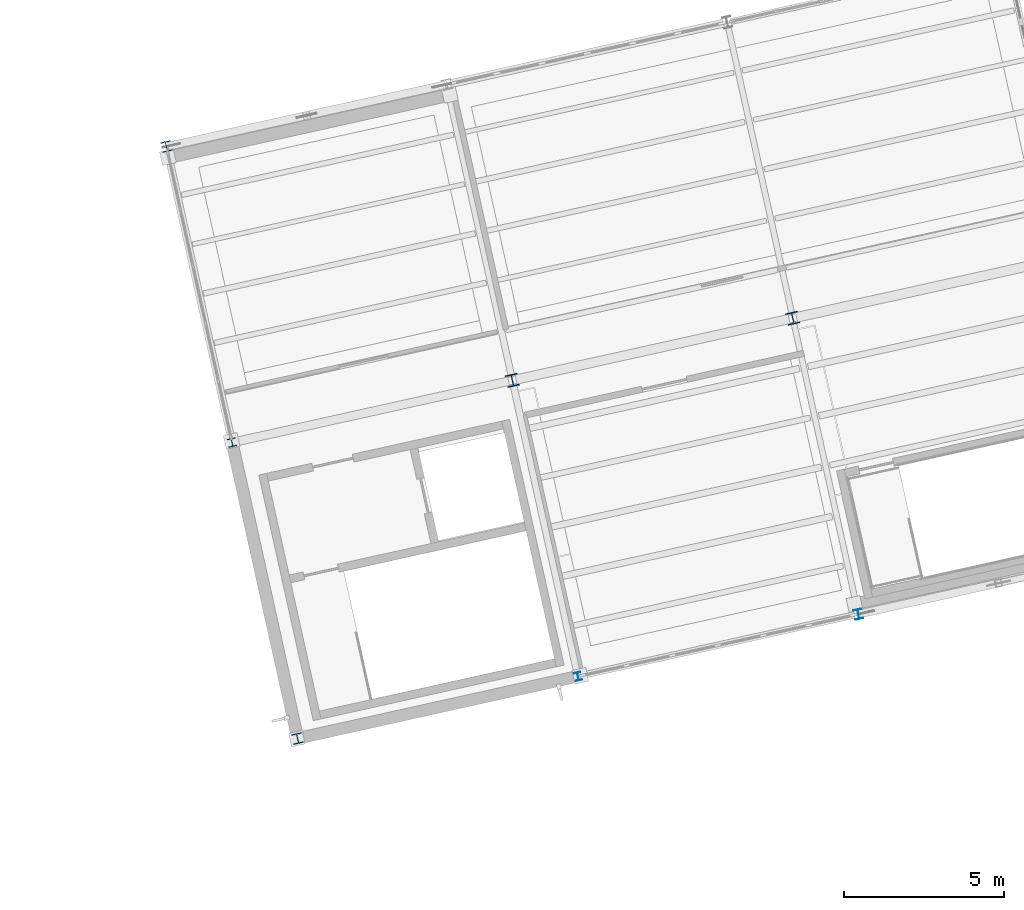
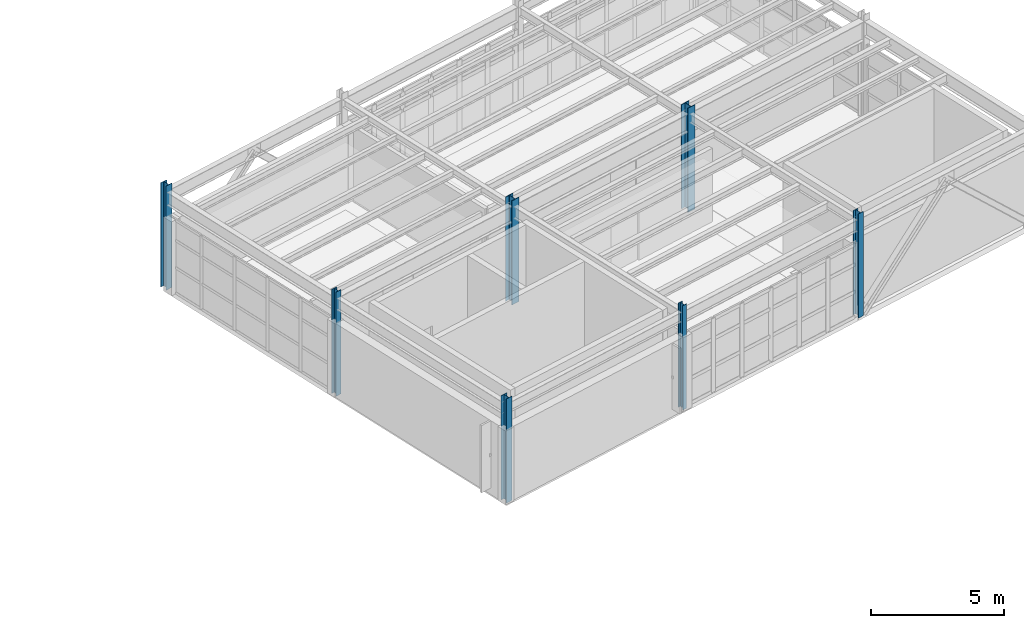
# One storey, part 10 of 59: 7 columns.
"""IFC4 building model written with IfcOpenShell, lengths in metres."""

from ifc_helpers import new_model, si_unit, direction, frame, origin, origin_2d, place, context, subcontext, project, spatial, i_section, extrude, material, material_profile, profile_set, type_object, element, save


model = new_model("IFC4")

# Units and contexts
model_context = context("Model", 3, precision=1e-05, world=origin(), true_north=direction((0.0, 1.0)))
body_context = subcontext(model_context, "Body", "Model", "MODEL_VIEW")
ifc_project = project(units=[si_unit("LENGTHUNIT", "METRE"), si_unit("AREAUNIT", "SQUARE_METRE"), si_unit("VOLUMEUNIT", "CUBIC_METRE"), si_unit("PLANEANGLEUNIT", "RADIAN"), si_unit("MASSUNIT", "GRAM", prefix="KILO")], contexts=[model_context])

# Site, building, storey
site_placement = place(None, origin())
site = spatial("IfcSite", under=ifc_project, at=site_placement, CompositionType="ELEMENT")
building_placement = place(site_placement, origin())
building = spatial("IfcBuilding", under=site, at=building_placement, Name="Vireo Bluff Cable Station", CompositionType="ELEMENT")
storey_placement = place(building_placement, frame((0.0, 0.0, 14.39990234375)))
storey = spatial("IfcBuildingStorey", under=building, at=storey_placement, Name="L03", CompositionType="ELEMENT", Elevation=14.39990234375)

# Columns
ifc_material = material(Name="Steel ASTM A992 Gr. 50", Category="steel")
ifc_material_profile_1 = material_profile(ifc_material, i_section(OverallWidth=0.373046875, OverallDepth=0.367919921875, WebThickness=0.014892578125, FlangeThickness=0.02392578125, FilletRadius=0.014892578125, at=origin_2d()), Name="W14X120")
ifc_profile_set_1 = profile_set([ifc_material_profile_1], Name="Steel ASTM A992 Gr. 50")
column_type_1 = type_object("IfcColumnType", Name="COL-W14X120", PredefinedType="COLUMN", material=ifc_profile_set_1)
column_1_placement = place(storey_placement, frame((148.24755859375, 98.3935546875, 0.0), z_axis=(0.0, 0.0, 1.0), x_axis=(0.97629600712, 0.216439613938, 0.0)))
element("IfcColumn", 1, at=column_1_placement, inside=storey, type_object=column_type_1, Name="V2 L03 column 175", PredefinedType="COLUMN", context=body_context, shape_type="SweptSolid", body=[
    extrude(i_section(OverallWidth=0.373046875, OverallDepth=0.367919921875, WebThickness=0.014892578125, FlangeThickness=0.02392578125, FilletRadius=0.014892578125, at=origin_2d()), origin(), (0.0, 0.0, 1.0), 4.800048828125),
])
ifc_material_profile_2 = material_profile(ifc_material, i_section(OverallWidth=0.373046875, OverallDepth=0.373046875, WebThickness=0.016357421875, FlangeThickness=0.026123046875, FilletRadius=0.014892578125, at=origin_2d()), Name="W14X132")
ifc_profile_set_2 = profile_set([ifc_material_profile_2], Name="Steel ASTM A992 Gr. 50")
column_type_2 = type_object("IfcColumnType", Name="COL-W14X132", PredefinedType="COLUMN", material=ifc_profile_set_2)
column_2_placement = place(storey_placement, frame((139.4609375, 96.445556640625, 0.0), z_axis=(0.0, 0.0, 1.0), x_axis=(0.97629600712, 0.216439613938, 0.0)))
element("IfcColumn", 2, at=column_2_placement, inside=storey, type_object=column_type_2, Name="V2 L03 column 160", PredefinedType="COLUMN", context=body_context, shape_type="SweptSolid", body=[
    extrude(i_section(OverallWidth=0.373046875, OverallDepth=0.373046875, WebThickness=0.016357421875, FlangeThickness=0.026123046875, FilletRadius=0.014892578125, at=origin_2d()), origin(), (0.0, 0.0, 1.0), 4.800048828125),
])
ifc_material_profile_3 = material_profile(ifc_material, i_section(OverallWidth=0.304931640625, OverallDepth=0.306884765625, WebThickness=0.010009765625, FlangeThickness=0.015380859375, FilletRadius=0.012939453125, at=origin_2d()), Name="W12X65")
ifc_profile_set_3 = profile_set([ifc_material_profile_3], Name="Steel ASTM A992 Gr. 50")
column_type_3 = type_object("IfcColumnType", Name="ECOL-W12X65", PredefinedType="COLUMN", material=ifc_profile_set_3)
for number, where, z_axis, x_axis, name in (
    (3, (132.73046875, 85.22265625, 0.0), (0.0, 0.0, 1.0), (0.97629600712, 0.216439613938, 0.0), "V2 L03 column 141"),
    (4, (128.6181640625, 103.7724609375, 0.0), (0.0, 0.0, 1.0), (0.97629600712, 0.216439613938, 0.0), "V2 L03 column 149"),
):
    element("IfcColumn", number, at=place(storey_placement, frame(where, z_axis=z_axis, x_axis=x_axis)), inside=storey, type_object=column_type_3, Name=name, PredefinedType="COLUMN", context=body_context, shape_type="SweptSolid", body=[
        extrude(i_section(OverallWidth=0.304931640625, OverallDepth=0.306884765625, WebThickness=0.010009765625, FlangeThickness=0.015380859375, FilletRadius=0.012939453125, at=origin_2d()), origin(), (0.0, 0.0, 1.0), 4.800048828125),
    ])
ifc_material_profile_4 = material_profile(ifc_material, i_section(OverallWidth=0.2041015625, OverallDepth=0.257080078125, WebThickness=0.0087890625, FlangeThickness=0.015625, FilletRadius=0.009033203125, at=origin_2d()), Name="W10X45")
ifc_profile_set_4 = profile_set([ifc_material_profile_4], Name="Steel ASTM A992 Gr. 50")
column_type_4 = type_object("IfcColumnType", Name="PIL-W10X45", PredefinedType="PILASTER", material=ifc_profile_set_4)
column_3_placement = place(storey_placement, frame((141.51708984375, 87.170654296875, 0.0), z_axis=(0.0, 0.0, 1.0), x_axis=(0.97629600712, 0.216439613938, 0.0)))
element("IfcColumn", 5, at=column_3_placement, inside=storey, type_object=column_type_4, Name="V2 L03 column 156", PredefinedType="PILASTER", context=body_context, shape_type="SweptSolid", body=[
    extrude(i_section(OverallWidth=0.2041015625, OverallDepth=0.257080078125, WebThickness=0.0087890625, FlangeThickness=0.015625, FilletRadius=0.009033203125, at=origin_2d()), origin(), (0.0, 0.0, 1.0), 4.800048828125),
])
ifc_material_profile_5 = material_profile(ifc_material, i_section(OverallWidth=0.2548828125, OverallDepth=0.256103515625, WebThickness=0.009521484375, FlangeThickness=0.015625, FilletRadius=0.009033203125, at=origin_2d()), Name="W10X54")
ifc_profile_set_5 = profile_set([ifc_material_profile_5], Name="Steel ASTM A992 Gr. 50")
column_type_5 = type_object("IfcColumnType", Name="PIL-W10X54", PredefinedType="PILASTER", material=ifc_profile_set_5)
column_4_placement = place(storey_placement, frame((130.67431640625, 94.49755859375, 0.0), z_axis=(0.0, 0.0, 1.0), x_axis=(0.97629600712, 0.216439613938, 0.0)))
element("IfcColumn", 6, at=column_4_placement, inside=storey, type_object=column_type_5, Name="V2 L03 column 145", PredefinedType="PILASTER", context=body_context, shape_type="SweptSolid", body=[
    extrude(i_section(OverallWidth=0.2548828125, OverallDepth=0.256103515625, WebThickness=0.009521484375, FlangeThickness=0.015625, FilletRadius=0.009033203125, at=origin_2d()), origin(), (0.0, 0.0, 1.0), 4.800048828125),
])
ifc_material_profile_6 = material_profile(ifc_material, i_section(OverallWidth=0.25390625, OverallDepth=0.305908203125, WebThickness=0.0087890625, FlangeThickness=0.0146484375, FilletRadius=0.010986328125, at=origin_2d()), Name="W12X53")
ifc_profile_set_6 = profile_set([ifc_material_profile_6], Name="Steel ASTM A992 Gr. 50")
column_type_6 = type_object("IfcColumnType", Name="PIL-W12X53", PredefinedType="PILASTER", material=ifc_profile_set_6)
column_5_placement = place(storey_placement, frame((150.3037109375, 89.11865234375, 0.0), z_axis=(0.0, 0.0, 1.0), x_axis=(0.97629600712, 0.216439613938, 0.0)))
element("IfcColumn", 7, at=column_5_placement, inside=storey, type_object=column_type_6, Name="V2 L03 column 171", PredefinedType="PILASTER", context=body_context, shape_type="SweptSolid", body=[
    extrude(i_section(OverallWidth=0.25390625, OverallDepth=0.305908203125, WebThickness=0.0087890625, FlangeThickness=0.0146484375, FilletRadius=0.010986328125, at=origin_2d()), origin(), (0.0, 0.0, 1.0), 4.800048828125),
])

save(model, "model.ifc")
